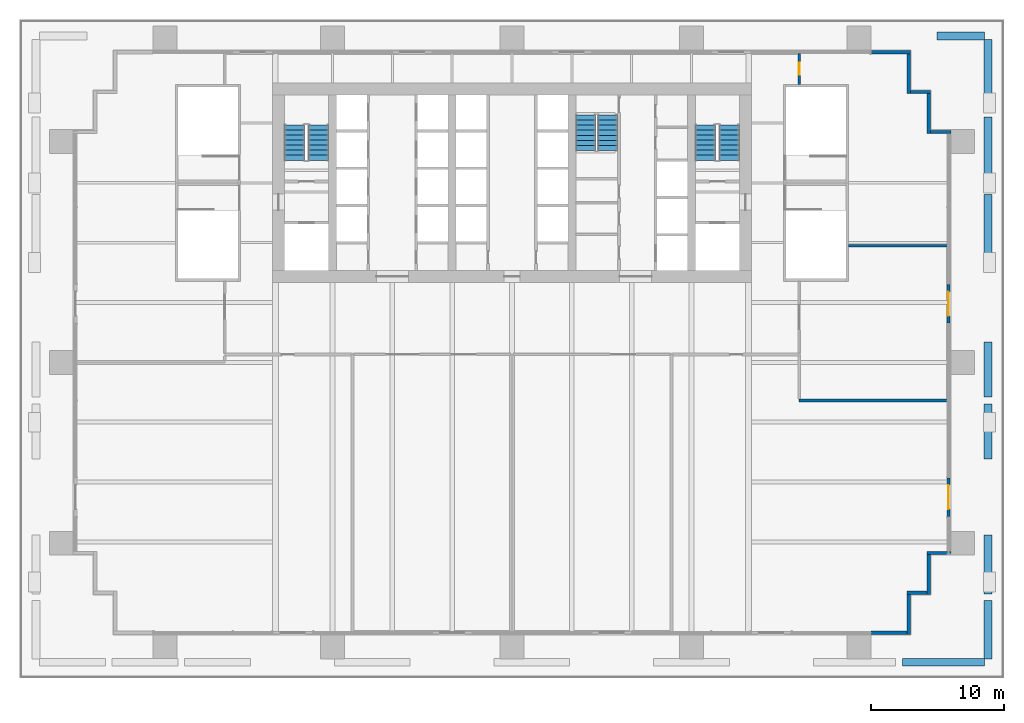
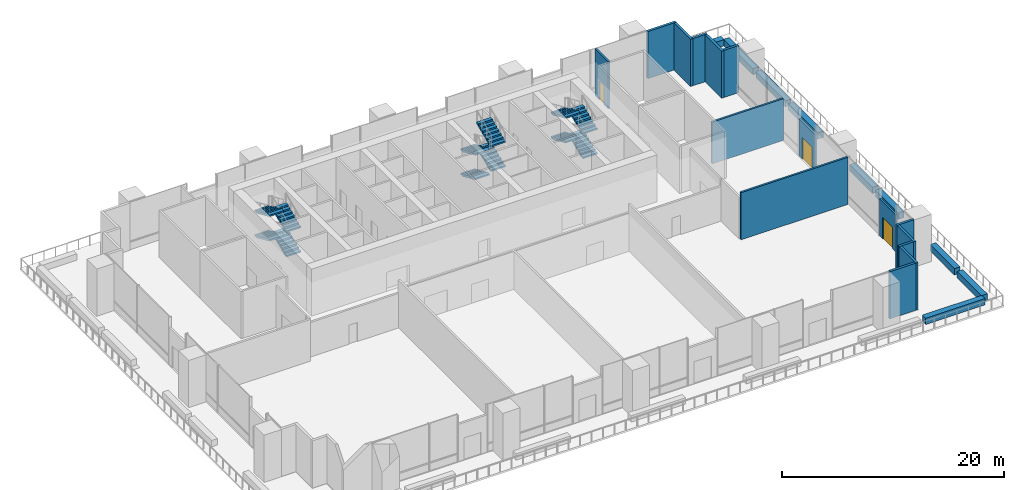
# One storey, part 11 of 16: 24 walls, 12 stair flights, 3 doors, 3 openings, 3 elements without a shape of their own.
"""IFC4 building model written with IfcOpenShell, lengths in metres."""

from ifc_helpers import new_model, si_unit, direction, frame, frame_2d, origin, place, context, subcontext, project, spatial, polyline, rectangle, outline, extrude, material, layer, layer_set, type_object, element, fill, aggregate, save


model = new_model("IFC4")

# Units and contexts
model_context = context("Model", 3, precision=1e-05, world=origin(), true_north=direction((0.0, 1.0)))
body_context = subcontext(model_context, "Body", "Model", "MODEL_VIEW")
ifc_project = project(units=[si_unit("LENGTHUNIT", "METRE"), si_unit("AREAUNIT", "SQUARE_METRE"), si_unit("VOLUMEUNIT", "CUBIC_METRE"), si_unit("PLANEANGLEUNIT", "RADIAN"), si_unit("MASSUNIT", "GRAM", prefix="KILO")], contexts=[model_context])

# Site, building, storey
site_placement = place(None, origin())
site = spatial("IfcSite", under=ifc_project, at=site_placement, CompositionType="ELEMENT")
building_placement = place(site_placement, origin())
building = spatial("IfcBuilding", under=site, at=building_placement, Name="Rattan Terrace Tower", CompositionType="ELEMENT")
storey_placement = place(building_placement, frame((0.0, 0.0, 27.0)))
storey = spatial("IfcBuildingStorey", under=building, at=storey_placement, Name="L05", CompositionType="ELEMENT", Elevation=27.0)

# Wall, opening, door
ifc_material_1 = material(Name="Insulated aluminium-clad stud wall", Category="aluminium")
ifc_layer_1 = layer(ifc_material_1, 0.199951171875)
ifc_layer_set_1 = layer_set([ifc_layer_1], Name="Facade Door Wall 200")
wall_type_1 = type_object("IfcWallType", Name="Facade Door Wall 200", PredefinedType="SOLIDWALL", material=ifc_layer_set_1)
wall_1_placement = place(storey_placement, frame((32.830078125, -25.091064453125, 0.0), z_axis=(0.0, 0.0, 1.0), x_axis=(0.0, 1.0, 0.0)))
wall_1 = element("IfcWall", 1, at=wall_1_placement, inside=storey, type_object=wall_type_1, Name="Terrace door wall L05-6", PredefinedType="SOLIDWALL", context=body_context, shape_type="SweptSolid", body=[
    extrude(rectangle(XDim=2.9091796875, YDim=0.199951171875, at=frame_2d((1.45458984375, 0.0))), origin(), (0.0, 0.0, 1.0), 4.10009765625),
])
opening_1_placement = place(wall_1_placement, frame((0.554443359375, 0.0, 0.0)))
opening_1 = element("IfcOpeningElement", 2, at=opening_1_placement, cuts=wall_1, Name="Opening L05-D701", PredefinedType="OPENING", context=body_context, shape_type="SweptSolid", body=[
    extrude(rectangle(XDim=1.800048828125, YDim=2.39990234375, at=frame_2d((0.89990234375, 1.199951171875))), frame((0.0, 0.110595703125, 0.0), z_axis=(0.0, -1.0, 0.0), x_axis=(1.0, 0.0, 0.0)), (0.0, 0.0, 1.0), 0.220947265625),
])
ifc_material_2 = material(Name="Aluminium and clear glass", Category="aluminium")
door_type_1 = type_object("IfcDoorType", Name="Facade Terrace Door 1800", OperationType="DOUBLE_DOOR_SINGLE_SWING", PredefinedType="DOOR", material=ifc_material_2)
door_1_placement = place(opening_1_placement, origin())
door_1 = element("IfcDoor", 3, at=door_1_placement, inside=storey, type_object=door_type_1, Name="Terrace door L05-D701", OperationType="DOUBLE_DOOR_SINGLE_SWING", OverallHeight=2.39990234375, OverallWidth=1.800048828125, PredefinedType="DOOR", context=body_context, shape_type="SweptSolid", body=[
    extrude(rectangle(XDim=1.800048828125, YDim=2.39990234375, at=frame_2d((0.89990234375, 1.199951171875))), frame((0.0, 0.02490234375, 0.0), z_axis=(0.0, -1.0, 0.0), x_axis=(1.0, 0.0, 0.0)), (0.0, 0.0, 1.0), 0.050048828125),
])
fill(opening_1, door_1)

wall_2_placement = place(storey_placement, frame((32.830078125, -10.5458984375, 0.0), z_axis=(0.0, 0.0, 1.0), x_axis=(0.0, 1.0, 0.0)))
wall_2 = element("IfcWall", 4, at=wall_2_placement, inside=storey, type_object=wall_type_1, Name="Terrace door wall L05-7", PredefinedType="SOLIDWALL", context=body_context, shape_type="SweptSolid", body=[
    extrude(rectangle(XDim=2.908935546875, YDim=0.199951171875, at=frame_2d((1.45458984375, 0.0))), origin(), (0.0, 0.0, 1.0), 4.10009765625),
])
opening_2_placement = place(wall_2_placement, frame((0.554443359375, 0.0, 0.0)))
opening_2 = element("IfcOpeningElement", 5, at=opening_2_placement, cuts=wall_2, Name="Opening L05-D702", PredefinedType="OPENING", context=body_context, shape_type="SweptSolid", body=[
    extrude(rectangle(XDim=1.800048828125, YDim=2.39990234375, at=frame_2d((0.89990234375, 1.199951171875))), frame((0.0, 0.110595703125, 0.0), z_axis=(0.0, -1.0, 0.0), x_axis=(1.0, 0.0, 0.0)), (0.0, 0.0, 1.0), 0.220947265625),
])
door_2_placement = place(opening_2_placement, origin())
door_2 = element("IfcDoor", 6, at=door_2_placement, inside=storey, type_object=door_type_1, Name="Terrace door L05-D702", OperationType="DOUBLE_DOOR_SINGLE_SWING", OverallHeight=2.39990234375, OverallWidth=1.800048828125, PredefinedType="DOOR", context=body_context, shape_type="SweptSolid", body=[
    extrude(rectangle(XDim=1.800048828125, YDim=2.39990234375, at=frame_2d((0.89990234375, 1.199951171875))), frame((0.0, 0.02490234375, 0.0), z_axis=(0.0, -1.0, 0.0), x_axis=(1.0, 0.0, 0.0)), (0.0, 0.0, 1.0), 0.050048828125),
])
fill(opening_2, door_2)

# Walls
ifc_material_3 = material(Name="Precast concrete C30/37", Category="concrete")
ifc_layer_2 = layer(ifc_material_3, 0.60009765625)
ifc_layer_set_2 = layer_set([ifc_layer_2], Name="Facade Planter Wall 600")
wall_type_2 = type_object("IfcWallType", Name="Facade Planter Wall 600", PredefinedType="SOLIDWALL", material=ifc_layer_set_2)
wall_3_placement = place(storey_placement, frame((35.800048828125, -26.498046875, 0.0), z_axis=(0.0, 0.0, 1.0), x_axis=(0.0, -1.0, 0.0)))
element("IfcWall", 7, at=wall_3_placement, inside=storey, type_object=wall_type_2, Name="PLANTER bed L05-15", PredefinedType="SOLIDWALL", context=body_context, shape_type="SweptSolid", body=[
    extrude(rectangle(XDim=4.40087890625, YDim=0.60009765625, at=frame_2d((2.200439453125, 0.0))), origin(), (0.0, 0.0, 1.0), 0.699951171875),
])
wall_4_placement = place(storey_placement, frame((35.800048828125, -31.39892578125, 0.0), z_axis=(0.0, 0.0, 1.0), x_axis=(0.0, -1.0, 0.0)))
element("IfcWall", 8, at=wall_4_placement, inside=storey, type_object=wall_type_2, Name="PLANTER bed L05-16", PredefinedType="SOLIDWALL", context=body_context, shape_type="SweptSolid", body=[
    extrude(rectangle(XDim=4.401123046875, YDim=0.60009765625, at=frame_2d((2.20068359375, 0.0))), origin(), (0.0, 0.0, 1.0), 0.699951171875),
])
wall_5_placement = place(storey_placement, frame((35.550048828125, -36.050048828125, 0.0), z_axis=(0.0, 0.0, 1.0), x_axis=(-1.0, 0.0, 0.0)))
element("IfcWall", 9, at=wall_5_placement, inside=storey, type_object=wall_type_2, Name="PLANTER bed L05-17", PredefinedType="SOLIDWALL", context=body_context, shape_type="SweptSolid", body=[
    extrude(rectangle(XDim=6.196044921875, YDim=0.60009765625, at=frame_2d((3.09814453125, 0.0))), origin(), (0.0, 0.0, 1.0), 0.699951171875),
])
wall_6_placement = place(storey_placement, frame((31.949951171875, 11.050048828125, 0.0), z_axis=(0.0, 0.0, 1.0), x_axis=(1.0, 0.0, 0.0)))
element("IfcWall", 10, at=wall_6_placement, inside=storey, type_object=wall_type_2, Name="PLANTER bed L05-19", PredefinedType="SOLIDWALL", context=body_context, shape_type="SweptSolid", body=[
    extrude(rectangle(XDim=3.60009765625, YDim=0.60009765625, at=frame_2d((1.800048828125, 0.0))), origin(), (0.0, 0.0, 1.0), 0.699951171875),
])
for number, where, z_axis, x_axis, name in (
    (11, (35.800048828125, 10.800048828125, 0.0), (0.0, 0.0, 1.0), (0.0, -1.0, 0.0), "PLANTER bed L05-20"),
    (12, (35.800048828125, 4.95703125, 0.0), (0.0, 0.0, 1.0), (0.0, -1.0, 0.0), "PLANTER bed L05-21"),
    (13, (35.800048828125, -0.885986328125, 0.0), (0.0, 0.0, 1.0), (0.0, -1.0, 0.0), "PLANTER bed L05-22"),
):
    element("IfcWall", number, at=place(storey_placement, frame(where, z_axis=z_axis, x_axis=x_axis)), inside=storey, type_object=wall_type_2, Name=name, PredefinedType="SOLIDWALL", context=body_context, shape_type="SweptSolid", body=[
        extrude(rectangle(XDim=5.343017578125, YDim=0.60009765625, at=frame_2d((2.67138671875, 0.0))), origin(), (0.0, 0.0, 1.0), 0.699951171875),
    ])
wall_7_placement = place(storey_placement, frame((35.800048828125, -11.952880859375, 0.0), z_axis=(0.0, 0.0, 1.0), x_axis=(0.0, -1.0, 0.0)))
element("IfcWall", 14, at=wall_7_placement, inside=storey, type_object=wall_type_2, Name="PLANTER bed L05-23", PredefinedType="SOLIDWALL", context=body_context, shape_type="SweptSolid", body=[
    extrude(rectangle(XDim=4.16015625, YDim=0.60009765625, at=frame_2d((2.080078125, 0.0))), origin(), (0.0, 0.0, 1.0), 0.699951171875),
])
wall_8_placement = place(storey_placement, frame((35.800048828125, -16.613037109375, 0.0), z_axis=(0.0, 0.0, 1.0), x_axis=(0.0, -1.0, 0.0)))
element("IfcWall", 15, at=wall_8_placement, inside=storey, type_object=wall_type_2, Name="PLANTER bed L05-24", PredefinedType="SOLIDWALL", context=body_context, shape_type="SweptSolid", body=[
    extrude(rectangle(XDim=4.160888671875, YDim=0.60009765625, at=frame_2d((2.08056640625, 0.0))), origin(), (0.0, 0.0, 1.0), 0.699951171875),
])
ifc_material_4 = material(Name="Insulated aluminium-clad stud wall", Category="aluminium")
ifc_layer_3 = layer(ifc_material_4, 0.25)
ifc_layer_set_3 = layer_set([ifc_layer_3], Name="Facade Riser Wall 250")
wall_type_3 = type_object("IfcWallType", Name="Facade Riser Wall 250", PredefinedType="SOLIDWALL", material=ifc_layer_set_3)
wall_9_placement = place(storey_placement, frame((27.0, -33.830078125, 0.0), z_axis=(0.0, 0.0, 1.0), x_axis=(1.0, 0.0, 0.0)))
element("IfcWall", 16, at=wall_9_placement, inside=storey, type_object=wall_type_3, Name="Riser wall L05-1", PredefinedType="SOLIDWALL", context=body_context, shape_type="SweptSolid", body=[
    extrude(rectangle(XDim=2.705078125, YDim=0.25, at=frame_2d((1.3525390625, 0.0))), origin(), (0.0, 0.0, 1.0), 5.199951171875),
])
wall_10_placement = place(storey_placement, frame((29.830078125, -33.955078125, 0.0), z_axis=(0.0, 0.0, 1.0), x_axis=(0.0, 1.0, 0.0)))
element("IfcWall", 17, at=wall_10_placement, inside=storey, type_object=wall_type_3, Name="Riser wall L05-2", PredefinedType="SOLIDWALL", context=body_context, shape_type="SweptSolid", body=[
    extrude(rectangle(XDim=3.0, YDim=0.25, at=frame_2d((1.5, 0.0))), origin(), (0.0, 0.0, 1.0), 5.199951171875),
])
wall_11_placement = place(storey_placement, frame((29.705078125, -30.830078125, 0.0), z_axis=(0.0, 0.0, 1.0), x_axis=(1.0, 0.0, 0.0)))
element("IfcWall", 18, at=wall_11_placement, inside=storey, type_object=wall_type_3, Name="Riser wall L05-3", PredefinedType="SOLIDWALL", context=body_context, shape_type="SweptSolid", body=[
    extrude(rectangle(XDim=1.5, YDim=0.25, at=frame_2d((0.75, 0.0))), origin(), (0.0, 0.0, 1.0), 5.199951171875),
])
wall_12_placement = place(storey_placement, frame((31.330078125, -30.955078125, 0.0), z_axis=(0.0, 0.0, 1.0), x_axis=(0.0, 1.0, 0.0)))
element("IfcWall", 19, at=wall_12_placement, inside=storey, type_object=wall_type_3, Name="Riser wall L05-4", PredefinedType="SOLIDWALL", context=body_context, shape_type="SweptSolid", body=[
    extrude(rectangle(XDim=3.0, YDim=0.25, at=frame_2d((1.5, 0.0))), origin(), (0.0, 0.0, 1.0), 5.199951171875),
])
wall_13_placement = place(storey_placement, frame((31.205078125, -27.830078125, 0.0), z_axis=(0.0, 0.0, 1.0), x_axis=(1.0, 0.0, 0.0)))
element("IfcWall", 20, at=wall_13_placement, inside=storey, type_object=wall_type_3, Name="Riser wall L05-5", PredefinedType="SOLIDWALL", context=body_context, shape_type="SweptSolid", body=[
    extrude(rectangle(XDim=1.7998046875, YDim=0.25, at=frame_2d((0.89990234375, 0.0))), origin(), (0.0, 0.0, 1.0), 5.199951171875),
])
wall_14_placement = place(storey_placement, frame((33.0048828125, 3.830078125, 0.0), z_axis=(0.0, 0.0, 1.0), x_axis=(-1.0, 0.0, 0.0)))
element("IfcWall", 21, at=wall_14_placement, inside=storey, type_object=wall_type_3, Name="Riser wall L05-8", PredefinedType="SOLIDWALL", context=body_context, shape_type="SweptSolid", body=[
    extrude(rectangle(XDim=1.5498046875, YDim=0.25, at=frame_2d((0.77490234375, 0.0))), origin(), (0.0, 0.0, 1.0), 5.199951171875),
])
wall_15_placement = place(storey_placement, frame((31.330078125, 3.705078125, 0.0), z_axis=(0.0, 0.0, 1.0), x_axis=(0.0, 1.0, 0.0)))
element("IfcWall", 22, at=wall_15_placement, inside=storey, type_object=wall_type_3, Name="Riser wall L05-9", PredefinedType="SOLIDWALL", context=body_context, shape_type="SweptSolid", body=[
    extrude(rectangle(XDim=3.0, YDim=0.25, at=frame_2d((1.5, 0.0))), origin(), (0.0, 0.0, 1.0), 5.199951171875),
])
wall_16_placement = place(storey_placement, frame((31.455078125, 6.830078125, 0.0), z_axis=(0.0, 0.0, 1.0), x_axis=(-1.0, 0.0, 0.0)))
element("IfcWall", 23, at=wall_16_placement, inside=storey, type_object=wall_type_3, Name="Riser wall L05-10", PredefinedType="SOLIDWALL", context=body_context, shape_type="SweptSolid", body=[
    extrude(rectangle(XDim=1.5, YDim=0.25, at=frame_2d((0.75, 0.0))), origin(), (0.0, 0.0, 1.0), 5.199951171875),
])
wall_17_placement = place(storey_placement, frame((29.830078125, 6.705078125, 0.0), z_axis=(0.0, 0.0, 1.0), x_axis=(0.0, 1.0, 0.0)))
element("IfcWall", 24, at=wall_17_placement, inside=storey, type_object=wall_type_3, Name="Riser wall L05-11", PredefinedType="SOLIDWALL", context=body_context, shape_type="SweptSolid", body=[
    extrude(rectangle(XDim=3.0, YDim=0.25, at=frame_2d((1.5, 0.0))), origin(), (0.0, 0.0, 1.0), 5.199951171875),
])
wall_18_placement = place(storey_placement, frame((29.955078125, 9.830078125, 0.0), z_axis=(0.0, 0.0, 1.0), x_axis=(-1.0, 0.0, 0.0)))
element("IfcWall", 25, at=wall_18_placement, inside=storey, type_object=wall_type_3, Name="Riser wall L05-12", PredefinedType="SOLIDWALL", context=body_context, shape_type="SweptSolid", body=[
    extrude(rectangle(XDim=2.955078125, YDim=0.25, at=frame_2d((1.4775390625, 0.0))), origin(), (0.0, 0.0, 1.0), 5.199951171875),
])

# Wall, opening, door
ifc_material_5 = material(Name="Concrete block wall, plastered", Category="concrete")
ifc_layer_4 = layer(ifc_material_5, 0.199951171875)
ifc_layer_set_4 = layer_set([ifc_layer_4], Name="Floors Plant Wall 200")
wall_type_4 = type_object("IfcWallType", Name="Floors Plant Wall 200", PredefinedType="PARTITIONING", material=ifc_layer_set_4)
wall_19_placement = place(storey_placement, frame((21.60009765625, 9.739990234375, 0.0), z_axis=(0.0, 0.0, 1.0), x_axis=(0.0, -1.0, 0.0)))
wall_19 = element("IfcWall", 26, at=wall_19_placement, inside=storey, type_object=wall_type_4, Name="pt-L05-008", PredefinedType="PARTITIONING", context=body_context, shape_type="SweptSolid", body=[
    extrude(rectangle(XDim=2.340087890625, YDim=0.199951171875, at=frame_2d((1.169921875, 0.0))), origin(), (0.0, 0.0, 1.0), 5.199951171875),
])
opening_3_placement = place(wall_19_placement, frame((0.719970703125, 0.0, 0.0)))
opening_3 = element("IfcOpeningElement", 27, at=opening_3_placement, cuts=wall_19, Name="Opening L05-D106", PredefinedType="OPENING", context=body_context, shape_type="SweptSolid", body=[
    extrude(rectangle(XDim=0.89990234375, YDim=2.10009765625, at=frame_2d((0.449951171875, 1.050048828125))), frame((0.0, 0.110595703125, 0.0), z_axis=(0.0, -1.0, 0.0), x_axis=(1.0, 0.0, 0.0)), (0.0, 0.0, 1.0), 0.220947265625),
])
ifc_material_6 = material(Name="Steel fire door set", Category="steel")
door_type_2 = type_object("IfcDoorType", Name="Floors Fire Door FD60 900x2100", OperationType="NOTDEFINED", PredefinedType="DOOR", material=ifc_material_6)
door_3_placement = place(opening_3_placement, origin())
door_3 = element("IfcDoor", 28, at=door_3_placement, inside=storey, type_object=door_type_2, Name="d-L05-106", OperationType="SINGLE_SWING_LEFT", OverallHeight=2.10009765625, OverallWidth=0.89990234375, PredefinedType="DOOR", context=body_context, shape_type="SweptSolid", body=[
    extrude(rectangle(XDim=0.89990234375, YDim=2.10009765625, at=frame_2d((0.449951171875, 1.050048828125))), frame((0.0, 0.02490234375, 0.0), z_axis=(0.0, -1.0, 0.0), x_axis=(1.0, 0.0, 0.0)), (0.0, 0.0, 1.0), 0.050048828125),
])
fill(opening_3, door_3)

# Walls
wall_20_placement = place(storey_placement, frame((21.60009765625, -16.364013671875, 0.0), z_axis=(0.0, 0.0, 1.0), x_axis=(1.0, 0.0, 0.0)))
element("IfcWall", 29, at=wall_20_placement, inside=storey, type_object=wall_type_4, Name="pt-L05-015", PredefinedType="PARTITIONING", context=body_context, shape_type="SweptSolid", body=[
    extrude(rectangle(XDim=11.139892578125, YDim=0.199951171875, at=frame_2d((5.56982421875, 0.0))), origin(), (0.0, 0.0, 1.0), 5.199951171875),
])
wall_21_placement = place(storey_placement, frame((25.300048828125, -4.72705078125, 0.0), z_axis=(0.0, 0.0, 1.0), x_axis=(1.0, 0.0, 0.0)))
element("IfcWall", 30, at=wall_21_placement, inside=storey, type_object=wall_type_4, Name="pt-L05-016", PredefinedType="PARTITIONING", context=body_context, shape_type="SweptSolid", body=[
    extrude(rectangle(XDim=7.43994140625, YDim=0.199951171875, at=frame_2d((3.719970703125, 0.0))), origin(), (0.0, 0.0, 1.0), 4.60009765625),
])

# Stair, stair flights
ifc_material_7 = material(Name="Concrete C40/50", Category="concrete")
stair_type = type_object("IfcStairType", Name="Core exit stair 1500", PredefinedType="HALF_TURN_STAIR", material=ifc_material_7)
stair_1_placement = place(storey_placement, origin())
stair_1 = element("IfcStair", 31, at=stair_1_placement, inside=storey, type_object=stair_type, Name="L05 exit stair 1", PredefinedType="HALF_TURN_STAIR")
ifc_material_8 = material(Name="Concrete C40/50", Category="concrete")
stair_flight_type = type_object("IfcStairFlightType", Name="Core exit stair flight 1500", PredefinedType="STRAIGHT", material=ifc_material_8)
stair_flight_1_placement = place(storey_placement, frame((-14.550048828125, 1.699951171875, 0.0), z_axis=(0.0, 0.0, 1.0), x_axis=(0.0, 1.0, 0.0)))
stair_flight_1 = element("IfcStairFlight", 32, at=stair_flight_1_placement, type_object=stair_flight_type, Name="S1 flight 1", NumberOfRisers=8, NumberOfTreads=7, PredefinedType="STRAIGHT", RiserHeight=0.16875, TreadLength=0.38, context=body_context, shape_type="SweptSolid", body=[
    extrude(outline(polyline([(0.0, 0.0), (0.0, 0.168701171875), (0.3798828125, 0.168701171875), (0.3798828125, 0.33740234375), (0.760009765625, 0.33740234375), (0.760009765625, 0.50634765625), (1.139892578125, 0.50634765625), (1.139892578125, 0.675048828125), (1.52001953125, 0.675048828125), (1.52001953125, 0.84375), (1.89990234375, 0.84375), (1.89990234375, 1.012451171875), (2.280029296875, 1.012451171875), (2.280029296875, 1.18115234375), (2.659912109375, 1.18115234375), (2.659912109375, 1.35009765625), (2.659912109375, 1.017333984375), (0.369384765625, 0.0), (0.0, 0.0)])), frame((0.0, 0.75, 0.0), z_axis=(0.0, -1.0, 0.0), x_axis=(1.0, 0.0, 0.0)), (0.0, 0.0, 1.0), 1.5),
])
stair_flight_2_placement = place(storey_placement, frame((-16.35009765625, 4.360107421875, 1.35009765625), z_axis=(0.0, 0.0, 1.0), x_axis=(0.0, -1.0, 0.0)))
stair_flight_2 = element("IfcStairFlight", 33, at=stair_flight_2_placement, type_object=stair_flight_type, Name="S1 flight 2", NumberOfRisers=8, NumberOfTreads=7, PredefinedType="STRAIGHT", RiserHeight=0.16875, TreadLength=0.38, context=body_context, shape_type="SweptSolid", body=[
    extrude(outline(polyline([(0.0, 0.0), (0.0, 0.168701171875), (0.3798828125, 0.168701171875), (0.3798828125, 0.33740234375), (0.760009765625, 0.33740234375), (0.760009765625, 0.50634765625), (1.139892578125, 0.50634765625), (1.139892578125, 0.675048828125), (1.52001953125, 0.675048828125), (1.52001953125, 0.84375), (1.89990234375, 0.84375), (1.89990234375, 1.012451171875), (2.280029296875, 1.012451171875), (2.280029296875, 1.18115234375), (2.659912109375, 1.18115234375), (2.659912109375, 1.35009765625), (2.659912109375, 1.017333984375), (0.369384765625, 0.0), (0.0, 0.0)])), frame((0.0, 0.75, 0.0), z_axis=(0.0, -1.0, 0.0), x_axis=(1.0, 0.0, 0.0)), (0.0, 0.0, 1.0), 1.5),
])
stair_flight_3_placement = place(storey_placement, frame((-14.550048828125, 1.699951171875, 2.699951171875), z_axis=(0.0, 0.0, 1.0), x_axis=(0.0, 1.0, 0.0)))
stair_flight_3 = element("IfcStairFlight", 34, at=stair_flight_3_placement, type_object=stair_flight_type, Name="S1 flight 3", NumberOfRisers=8, NumberOfTreads=7, PredefinedType="STRAIGHT", RiserHeight=0.16875, TreadLength=0.38, context=body_context, shape_type="SweptSolid", body=[
    extrude(outline(polyline([(0.0, 0.0), (0.0, 0.168701171875), (0.3798828125, 0.168701171875), (0.3798828125, 0.33740234375), (0.760009765625, 0.33740234375), (0.760009765625, 0.50634765625), (1.139892578125, 0.50634765625), (1.139892578125, 0.675048828125), (1.52001953125, 0.675048828125), (1.52001953125, 0.84375), (1.89990234375, 0.84375), (1.89990234375, 1.012451171875), (2.280029296875, 1.012451171875), (2.280029296875, 1.18115234375), (2.659912109375, 1.18115234375), (2.659912109375, 1.35009765625), (2.659912109375, 1.017333984375), (0.369384765625, 0.0), (0.0, 0.0)])), frame((0.0, 0.75, 0.0), z_axis=(0.0, -1.0, 0.0), x_axis=(1.0, 0.0, 0.0)), (0.0, 0.0, 1.0), 1.5),
])
stair_flight_4_placement = place(storey_placement, frame((-16.35009765625, 4.360107421875, 4.050048828125), z_axis=(0.0, 0.0, 1.0), x_axis=(0.0, -1.0, 0.0)))
stair_flight_4 = element("IfcStairFlight", 35, at=stair_flight_4_placement, type_object=stair_flight_type, Name="S1 flight 4", NumberOfRisers=8, NumberOfTreads=7, PredefinedType="STRAIGHT", RiserHeight=0.16875, TreadLength=0.38, context=body_context, shape_type="SweptSolid", body=[
    extrude(outline(polyline([(0.0, 0.0), (0.0, 0.168701171875), (0.3798828125, 0.168701171875), (0.3798828125, 0.33740234375), (0.760009765625, 0.33740234375), (0.760009765625, 0.50634765625), (1.139892578125, 0.50634765625), (1.139892578125, 0.675048828125), (1.52001953125, 0.675048828125), (1.52001953125, 0.84375), (1.89990234375, 0.84375), (1.89990234375, 1.012451171875), (2.280029296875, 1.012451171875), (2.280029296875, 1.18115234375), (2.659912109375, 1.18115234375), (2.659912109375, 1.35009765625), (2.659912109375, 1.017333984375), (0.369384765625, 0.0), (0.0, 0.0)])), frame((0.0, 0.75, 0.0), z_axis=(0.0, -1.0, 0.0), x_axis=(1.0, 0.0, 0.0)), (0.0, 0.0, 1.0), 1.5),
])
aggregate(stair_1, [stair_flight_1, stair_flight_2, stair_flight_3, stair_flight_4])

stair_2_placement = place(storey_placement, origin())
stair_2 = element("IfcStair", 36, at=stair_2_placement, inside=storey, type_object=stair_type, Name="L05 exit stair 2", PredefinedType="HALF_TURN_STAIR")
stair_flight_5_placement = place(storey_placement, frame((16.35009765625, 1.699951171875, 0.0), z_axis=(0.0, 0.0, 1.0), x_axis=(0.0, 1.0, 0.0)))
stair_flight_5 = element("IfcStairFlight", 37, at=stair_flight_5_placement, type_object=stair_flight_type, Name="S2 flight 1", NumberOfRisers=8, NumberOfTreads=7, PredefinedType="STRAIGHT", RiserHeight=0.16875, TreadLength=0.38, context=body_context, shape_type="SweptSolid", body=[
    extrude(outline(polyline([(0.0, 0.0), (0.0, 0.168701171875), (0.3798828125, 0.168701171875), (0.3798828125, 0.33740234375), (0.760009765625, 0.33740234375), (0.760009765625, 0.50634765625), (1.139892578125, 0.50634765625), (1.139892578125, 0.675048828125), (1.52001953125, 0.675048828125), (1.52001953125, 0.84375), (1.89990234375, 0.84375), (1.89990234375, 1.012451171875), (2.280029296875, 1.012451171875), (2.280029296875, 1.18115234375), (2.659912109375, 1.18115234375), (2.659912109375, 1.35009765625), (2.659912109375, 1.017333984375), (0.369384765625, 0.0), (0.0, 0.0)])), frame((0.0, 0.75, 0.0), z_axis=(0.0, -1.0, 0.0), x_axis=(1.0, 0.0, 0.0)), (0.0, 0.0, 1.0), 1.5),
])
stair_flight_6_placement = place(storey_placement, frame((14.550048828125, 4.360107421875, 1.35009765625), z_axis=(0.0, 0.0, 1.0), x_axis=(0.0, -1.0, 0.0)))
stair_flight_6 = element("IfcStairFlight", 38, at=stair_flight_6_placement, type_object=stair_flight_type, Name="S2 flight 2", NumberOfRisers=8, NumberOfTreads=7, PredefinedType="STRAIGHT", RiserHeight=0.16875, TreadLength=0.38, context=body_context, shape_type="SweptSolid", body=[
    extrude(outline(polyline([(0.0, 0.0), (0.0, 0.168701171875), (0.3798828125, 0.168701171875), (0.3798828125, 0.33740234375), (0.760009765625, 0.33740234375), (0.760009765625, 0.50634765625), (1.139892578125, 0.50634765625), (1.139892578125, 0.675048828125), (1.52001953125, 0.675048828125), (1.52001953125, 0.84375), (1.89990234375, 0.84375), (1.89990234375, 1.012451171875), (2.280029296875, 1.012451171875), (2.280029296875, 1.18115234375), (2.659912109375, 1.18115234375), (2.659912109375, 1.35009765625), (2.659912109375, 1.017333984375), (0.369384765625, 0.0), (0.0, 0.0)])), frame((0.0, 0.75, 0.0), z_axis=(0.0, -1.0, 0.0), x_axis=(1.0, 0.0, 0.0)), (0.0, 0.0, 1.0), 1.5),
])
stair_flight_7_placement = place(storey_placement, frame((16.35009765625, 1.699951171875, 2.699951171875), z_axis=(0.0, 0.0, 1.0), x_axis=(0.0, 1.0, 0.0)))
stair_flight_7 = element("IfcStairFlight", 39, at=stair_flight_7_placement, type_object=stair_flight_type, Name="S2 flight 3", NumberOfRisers=8, NumberOfTreads=7, PredefinedType="STRAIGHT", RiserHeight=0.16875, TreadLength=0.38, context=body_context, shape_type="SweptSolid", body=[
    extrude(outline(polyline([(0.0, 0.0), (0.0, 0.168701171875), (0.3798828125, 0.168701171875), (0.3798828125, 0.33740234375), (0.760009765625, 0.33740234375), (0.760009765625, 0.50634765625), (1.139892578125, 0.50634765625), (1.139892578125, 0.675048828125), (1.52001953125, 0.675048828125), (1.52001953125, 0.84375), (1.89990234375, 0.84375), (1.89990234375, 1.012451171875), (2.280029296875, 1.012451171875), (2.280029296875, 1.18115234375), (2.659912109375, 1.18115234375), (2.659912109375, 1.35009765625), (2.659912109375, 1.017333984375), (0.369384765625, 0.0), (0.0, 0.0)])), frame((0.0, 0.75, 0.0), z_axis=(0.0, -1.0, 0.0), x_axis=(1.0, 0.0, 0.0)), (0.0, 0.0, 1.0), 1.5),
])
stair_flight_8_placement = place(storey_placement, frame((14.550048828125, 4.360107421875, 4.050048828125), z_axis=(0.0, 0.0, 1.0), x_axis=(0.0, -1.0, 0.0)))
stair_flight_8 = element("IfcStairFlight", 40, at=stair_flight_8_placement, type_object=stair_flight_type, Name="S2 flight 4", NumberOfRisers=8, NumberOfTreads=7, PredefinedType="STRAIGHT", RiserHeight=0.16875, TreadLength=0.38, context=body_context, shape_type="SweptSolid", body=[
    extrude(outline(polyline([(0.0, 0.0), (0.0, 0.168701171875), (0.3798828125, 0.168701171875), (0.3798828125, 0.33740234375), (0.760009765625, 0.33740234375), (0.760009765625, 0.50634765625), (1.139892578125, 0.50634765625), (1.139892578125, 0.675048828125), (1.52001953125, 0.675048828125), (1.52001953125, 0.84375), (1.89990234375, 0.84375), (1.89990234375, 1.012451171875), (2.280029296875, 1.012451171875), (2.280029296875, 1.18115234375), (2.659912109375, 1.18115234375), (2.659912109375, 1.35009765625), (2.659912109375, 1.017333984375), (0.369384765625, 0.0), (0.0, 0.0)])), frame((0.0, 0.75, 0.0), z_axis=(0.0, -1.0, 0.0), x_axis=(1.0, 0.0, 0.0)), (0.0, 0.0, 1.0), 1.5),
])
aggregate(stair_2, [stair_flight_5, stair_flight_6, stair_flight_7, stair_flight_8])

stair_3_placement = place(storey_placement, origin())
stair_3 = element("IfcStair", 41, at=stair_3_placement, inside=storey, type_object=stair_type, Name="L05 exit stair 3", PredefinedType="HALF_TURN_STAIR")
stair_flight_9_placement = place(storey_placement, frame((5.550048828125, 5.10009765625, 0.0), z_axis=(0.0, 0.0, 1.0), x_axis=(0.0, -1.0, 0.0)))
stair_flight_9 = element("IfcStairFlight", 42, at=stair_flight_9_placement, type_object=stair_flight_type, Name="S3 flight 1", NumberOfRisers=8, NumberOfTreads=7, PredefinedType="STRAIGHT", RiserHeight=0.16875, TreadLength=0.38, context=body_context, shape_type="SweptSolid", body=[
    extrude(outline(polyline([(0.0, 0.0), (0.0, 0.168701171875), (0.3798828125, 0.168701171875), (0.3798828125, 0.33740234375), (0.760009765625, 0.33740234375), (0.760009765625, 0.50634765625), (1.139892578125, 0.50634765625), (1.139892578125, 0.675048828125), (1.52001953125, 0.675048828125), (1.52001953125, 0.84375), (1.89990234375, 0.84375), (1.89990234375, 1.012451171875), (2.280029296875, 1.012451171875), (2.280029296875, 1.18115234375), (2.659912109375, 1.18115234375), (2.659912109375, 1.35009765625), (2.659912109375, 1.017333984375), (0.369384765625, 0.0), (0.0, 0.0)])), frame((0.0, 0.75, 0.0), z_axis=(0.0, -1.0, 0.0), x_axis=(1.0, 0.0, 0.0)), (0.0, 0.0, 1.0), 1.5),
])
stair_flight_10_placement = place(storey_placement, frame((7.199951171875, 2.43994140625, 1.35009765625), z_axis=(0.0, 0.0, 1.0), x_axis=(0.0, 1.0, 0.0)))
stair_flight_10 = element("IfcStairFlight", 43, at=stair_flight_10_placement, type_object=stair_flight_type, Name="S3 flight 2", NumberOfRisers=8, NumberOfTreads=7, PredefinedType="STRAIGHT", RiserHeight=0.16875, TreadLength=0.38, context=body_context, shape_type="SweptSolid", body=[
    extrude(outline(polyline([(0.0, 0.0), (0.0, 0.168701171875), (0.3798828125, 0.168701171875), (0.3798828125, 0.33740234375), (0.760009765625, 0.33740234375), (0.760009765625, 0.50634765625), (1.139892578125, 0.50634765625), (1.139892578125, 0.675048828125), (1.52001953125, 0.675048828125), (1.52001953125, 0.84375), (1.89990234375, 0.84375), (1.89990234375, 1.012451171875), (2.280029296875, 1.012451171875), (2.280029296875, 1.18115234375), (2.659912109375, 1.18115234375), (2.659912109375, 1.35009765625), (2.659912109375, 1.017333984375), (0.369384765625, 0.0), (0.0, 0.0)])), frame((0.0, 0.75, 0.0), z_axis=(0.0, -1.0, 0.0), x_axis=(1.0, 0.0, 0.0)), (0.0, 0.0, 1.0), 1.5),
])
stair_flight_11_placement = place(storey_placement, frame((5.550048828125, 5.10009765625, 2.699951171875), z_axis=(0.0, 0.0, 1.0), x_axis=(0.0, -1.0, 0.0)))
stair_flight_11 = element("IfcStairFlight", 44, at=stair_flight_11_placement, type_object=stair_flight_type, Name="S3 flight 3", NumberOfRisers=8, NumberOfTreads=7, PredefinedType="STRAIGHT", RiserHeight=0.16875, TreadLength=0.38, context=body_context, shape_type="SweptSolid", body=[
    extrude(outline(polyline([(0.0, 0.0), (0.0, 0.168701171875), (0.3798828125, 0.168701171875), (0.3798828125, 0.33740234375), (0.760009765625, 0.33740234375), (0.760009765625, 0.50634765625), (1.139892578125, 0.50634765625), (1.139892578125, 0.675048828125), (1.52001953125, 0.675048828125), (1.52001953125, 0.84375), (1.89990234375, 0.84375), (1.89990234375, 1.012451171875), (2.280029296875, 1.012451171875), (2.280029296875, 1.18115234375), (2.659912109375, 1.18115234375), (2.659912109375, 1.35009765625), (2.659912109375, 1.017333984375), (0.369384765625, 0.0), (0.0, 0.0)])), frame((0.0, 0.75, 0.0), z_axis=(0.0, -1.0, 0.0), x_axis=(1.0, 0.0, 0.0)), (0.0, 0.0, 1.0), 1.5),
])
stair_flight_12_placement = place(storey_placement, frame((7.199951171875, 2.43994140625, 4.050048828125), z_axis=(0.0, 0.0, 1.0), x_axis=(0.0, 1.0, 0.0)))
stair_flight_12 = element("IfcStairFlight", 45, at=stair_flight_12_placement, type_object=stair_flight_type, Name="S3 flight 4", NumberOfRisers=8, NumberOfTreads=7, PredefinedType="STRAIGHT", RiserHeight=0.16875, TreadLength=0.38, context=body_context, shape_type="SweptSolid", body=[
    extrude(outline(polyline([(0.0, 0.0), (0.0, 0.168701171875), (0.3798828125, 0.168701171875), (0.3798828125, 0.33740234375), (0.760009765625, 0.33740234375), (0.760009765625, 0.50634765625), (1.139892578125, 0.50634765625), (1.139892578125, 0.675048828125), (1.52001953125, 0.675048828125), (1.52001953125, 0.84375), (1.89990234375, 0.84375), (1.89990234375, 1.012451171875), (2.280029296875, 1.012451171875), (2.280029296875, 1.18115234375), (2.659912109375, 1.18115234375), (2.659912109375, 1.35009765625), (2.659912109375, 1.017333984375), (0.369384765625, 0.0), (0.0, 0.0)])), frame((0.0, 0.75, 0.0), z_axis=(0.0, -1.0, 0.0), x_axis=(1.0, 0.0, 0.0)), (0.0, 0.0, 1.0), 1.5),
])
aggregate(stair_3, [stair_flight_9, stair_flight_10, stair_flight_11, stair_flight_12])

save(model, "model.ifc")
